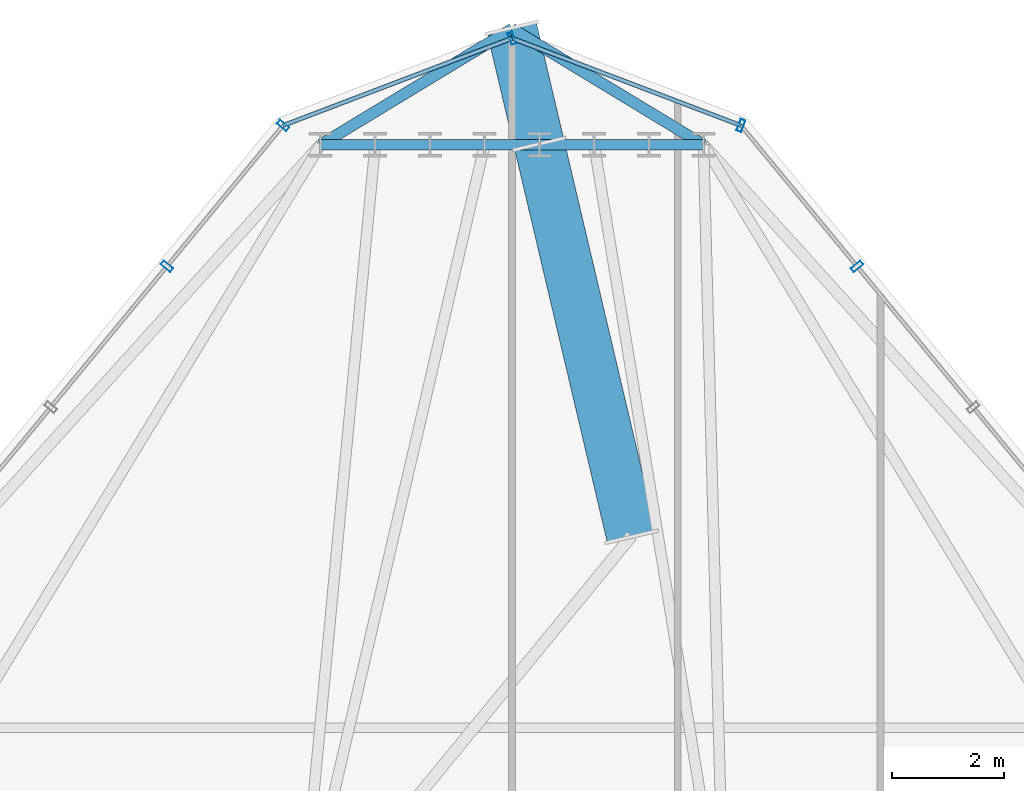
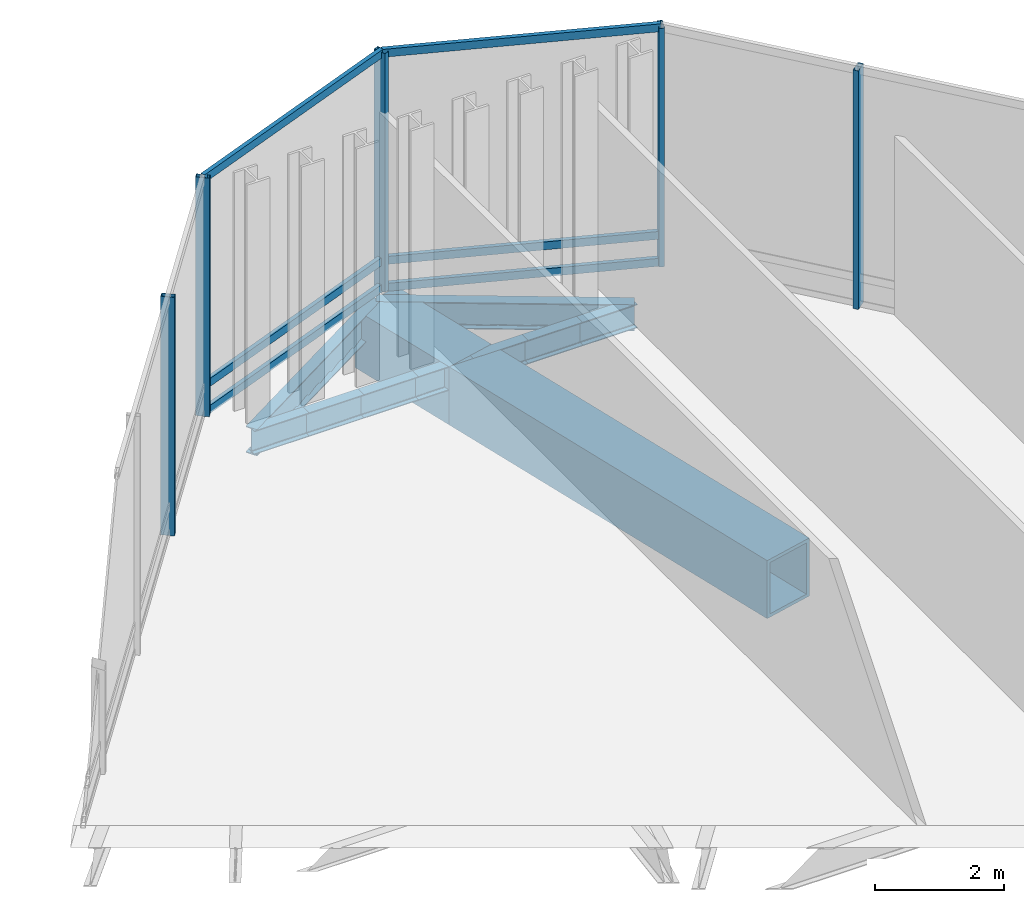
# One storey, part 18 of 29: 11 beams, 11 members, 4 elements without a shape of their own.
"""IFC4 building model written with IfcOpenShell, lengths in metres."""

from ifc_helpers import new_model, si_unit, direction, frame, origin, origin_2d, place, context, subcontext, project, spatial, hollow_rectangle, i_section, extrude, material, layer, layer_set, material_profile, profile_set, type_object, element, aggregate, save


model = new_model("IFC4")

# Units and contexts
model_context = context("Model", 3, precision=1e-05, world=origin(), true_north=direction((0.0, 1.0)))
body_context = subcontext(model_context, "Body", "Model", "MODEL_VIEW")
ifc_project = project(units=[si_unit("LENGTHUNIT", "METRE"), si_unit("AREAUNIT", "SQUARE_METRE"), si_unit("VOLUMEUNIT", "CUBIC_METRE"), si_unit("PLANEANGLEUNIT", "RADIAN"), si_unit("MASSUNIT", "GRAM", prefix="KILO")], contexts=[model_context])

# Site, building, storey
site_placement = place(None, origin())
site = spatial("IfcSite", under=ifc_project, at=site_placement, CompositionType="ELEMENT")
building_placement = place(site_placement, origin())
building = spatial("IfcBuilding", under=site, at=building_placement, Name="Ndaravel Arena Tower", CompositionType="ELEMENT")
storey_placement = place(building_placement, frame((0.0, 0.0, 208.39990234375)))
storey = spatial("IfcBuildingStorey", under=building, at=storey_placement, Name="L50", CompositionType="ELEMENT", Elevation=208.39990234375)

# Beams
ifc_material_1 = material(Name="Steel S355", Category="steel")
ifc_material_profile_1 = material_profile(ifc_material_1, i_section(OverallWidth=0.18994140625, OverallDepth=0.449951171875, WebThickness=0.009521484375, FlangeThickness=0.0146484375, FilletRadius=0.02099609375, at=origin_2d()), Name="IPE 450")
ifc_profile_set_1 = profile_set([ifc_material_profile_1], Name="Steel S355")
beam_type_1 = type_object("IfcBeamType", Name="BM-SPAN-IPE450", PredefinedType="SPANDREL", material=ifc_profile_set_1)
beam_1_placement = place(storey_placement, frame((45.431396484375, 45.44482421875, -0.5048828125), z_axis=(-1.0, 0.0, 0.0), x_axis=(0.0, -1.0, 0.0)))
element("IfcBeam", 1, at=beam_1_placement, inside=storey, type_object=beam_type_1, Name="L50 Perimeter Spandrel Beam SP-11", PredefinedType="SPANDREL", context=body_context, shape_type="SweptSolid", body=[
    extrude(i_section(OverallWidth=0.18994140625, OverallDepth=0.449951171875, WebThickness=0.009521484375, FlangeThickness=0.0146484375, FilletRadius=0.02099609375, at=origin_2d()), origin(), (0.0, 0.0, 1.0), 0.980224609375),
])
for number, where, z_axis, x_axis, name in (
    (2, (44.451171875, 45.44482421875, -0.5048828125), (-1.0, 0.0, 0.0), (0.0, -1.0, 0.0), "L50 Perimeter Spandrel Beam SP-12"),
    (3, (43.470703125, 45.44482421875, -0.5048828125), (-1.0, 0.0, 0.0), (0.0, -1.0, 0.0), "L50 Perimeter Spandrel Beam SP-13"),
    (4, (42.490234375, 45.44482421875, -0.5048828125), (-1.0, 0.0, 0.0), (0.0, -1.0, 0.0), "L50 Perimeter Spandrel Beam SP-14"),
    (5, (41.509765625, 45.44482421875, -0.5048828125), (-1.0, 0.0, 0.0), (0.0, -1.0, 0.0), "L50 Perimeter Spandrel Beam SP-15"),
    (6, (40.529296875, 45.44482421875, -0.5048828125), (-1.0, 0.0, 0.0), (0.0, -1.0, 0.0), "L50 Perimeter Spandrel Beam SP-16"),
):
    element("IfcBeam", number, at=place(storey_placement, frame(where, z_axis=z_axis, x_axis=x_axis)), inside=storey, type_object=beam_type_1, Name=name, PredefinedType="SPANDREL", context=body_context, shape_type="SweptSolid", body=[
        extrude(i_section(OverallWidth=0.18994140625, OverallDepth=0.449951171875, WebThickness=0.009521484375, FlangeThickness=0.0146484375, FilletRadius=0.02099609375, at=origin_2d()), origin(), (0.0, 0.0, 1.0), 0.98046875),
    ])
beam_2_placement = place(storey_placement, frame((39.548828125, 45.44482421875, -0.5048828125), z_axis=(-1.0, 0.0, 0.0), x_axis=(0.0, -1.0, 0.0)))
element("IfcBeam", 7, at=beam_2_placement, inside=storey, type_object=beam_type_1, Name="L50 Perimeter Spandrel Beam SP-17", PredefinedType="SPANDREL", context=body_context, shape_type="SweptSolid", body=[
    extrude(i_section(OverallWidth=0.18994140625, OverallDepth=0.449951171875, WebThickness=0.009521484375, FlangeThickness=0.0146484375, FilletRadius=0.02099609375, at=origin_2d()), origin(), (0.0, 0.0, 1.0), 0.980224609375),
])
ifc_material_2 = material(Name="Steel S355", Category="steel")
ifc_material_profile_2 = material_profile(ifc_material_2, i_section(OverallWidth=0.199951171875, OverallDepth=0.5, WebThickness=0.01025390625, FlangeThickness=0.01611328125, FilletRadius=0.02099609375, at=origin_2d()), Name="IPE 500")
ifc_profile_set_2 = profile_set([ifc_material_profile_2], Name="Steel S355")
beam_type_2 = type_object("IfcBeamType", Name="BM-SPAN-IPE500", PredefinedType="SPANDREL", material=ifc_profile_set_2)
for number, where, z_axis, x_axis, name in (
    (8, (45.431396484375, 45.44482421875, -0.52978515625), (-0.85514879372, 0.518382619886, 0.0), (-0.518382619886, -0.85514879372, 0.0), "L50 Star Facet Edge Beam SEA-5"),
    (9, (42.0, 47.52490234375, -0.52978515625), (-0.85514879372, -0.518382619886, 0.0), (0.518382619886, -0.85514879372, 0.0), "L50 Star Facet Edge Beam SEB-5"),
):
    element("IfcBeam", number, at=place(storey_placement, frame(where, z_axis=z_axis, x_axis=x_axis)), inside=storey, type_object=beam_type_2, Name=name, PredefinedType="SPANDREL", context=body_context, shape_type="SweptSolid", body=[
        extrude(i_section(OverallWidth=0.199951171875, OverallDepth=0.5, WebThickness=0.01025390625, FlangeThickness=0.01611328125, FilletRadius=0.02099609375, at=origin_2d()), origin(), (0.0, 0.0, 1.0), 4.0126953125),
    ])
ifc_material_3 = material(Name="Steel S460", Category="steel")
ifc_material_profile_3 = material_profile(ifc_material_3, hollow_rectangle(XDim=0.89990234375, YDim=1.10009765625, WallThickness=0.06494140625, at=origin_2d()), Name="BOX 1100x900x65")
ifc_profile_set_3 = profile_set([ifc_material_profile_3], Name="Steel S460")
beam_type_3 = type_object("IfcBeamType", Name="BM-STAR-BOX1100", PredefinedType="BEAM", material=ifc_profile_set_3)
beam_3_placement = place(storey_placement, frame((44.141845703125, 38.436767578125, -0.829833984375), z_axis=(-0.229388962505, 0.973334836467, 0.0), x_axis=(-0.973334836467, -0.229388962505, 0.0)))
element("IfcBeam", 10, at=beam_3_placement, inside=storey, type_object=beam_type_3, Name="L50 Star Cantilever Backspan Girder SBG-5", PredefinedType="BEAM", context=body_context, shape_type="SweptSolid", body=[
    extrude(hollow_rectangle(XDim=0.89990234375, YDim=1.10009765625, WallThickness=0.06494140625, at=origin_2d()), origin(), (0.0, 0.0, 1.0), 7.199951171875),
])
beam_4_placement = place(storey_placement, frame((42.490234375, 45.44482421875, -0.829833984375), z_axis=(-0.229395900059, 0.973333201445, 0.0), x_axis=(-0.973333201445, -0.229395900059, 0.0)))
element("IfcBeam", 11, at=beam_4_placement, inside=storey, type_object=beam_type_3, Name="L50 Star Cantilever Tip Girder SCG-5", PredefinedType="BEAM", context=body_context, shape_type="SweptSolid", body=[
    extrude(hollow_rectangle(XDim=0.89990234375, YDim=1.10009765625, WallThickness=0.06494140625, at=origin_2d()), origin(), (0.0, 0.0, 1.0), 2.136962890625),
])

# Curtain wall, member
ifc_material_4 = material(Name="Aluminium", Category="aluminium")
ifc_layer = layer(ifc_material_4, 0.179931640625)
ifc_layer_set = layer_set([ifc_layer], Name="Aluminium")
curtain_wall_type = type_object("IfcCurtainWallType", Name="CW-SYS-04", PredefinedType="NOTDEFINED", material=ifc_layer_set)
curtain_wall_1_placement = place(storey_placement, origin())
curtain_wall_1 = element("IfcCurtainWall", 12, at=curtain_wall_1_placement, inside=storey, type_object=curtain_wall_type, Name="L50 Faceted Crystal Curtain Wall CW-L50-E07", PredefinedType="NOTDEFINED")
ifc_material_5 = material(Name="Aluminium", Category="aluminium")
ifc_material_profile_4 = material_profile(ifc_material_5, hollow_rectangle(XDim=0.090087890625, YDim=0.219970703125, WallThickness=0.0048828125, at=origin_2d()), Name="CW MULLION 90x220x5")
ifc_profile_set_4 = profile_set([ifc_material_profile_4], Name="Aluminium")
member_type_1 = type_object("IfcMemberType", Name="MEM-CW-MUL220", PredefinedType="MULLION", material=ifc_profile_set_4)
member_1_placement = place(storey_placement, frame((48.18310546875, 43.265869140625, 0.0), z_axis=(0.0, 0.0, 1.0), x_axis=(-0.636024349169, 0.771668988144, 0.0)))
member_1 = element("IfcMember", 13, at=member_1_placement, type_object=member_type_1, Name="CW-L50-E07 Mullion 05", PredefinedType="MULLION", context=body_context, shape_type="SweptSolid", body=[
    extrude(hollow_rectangle(XDim=0.090087890625, YDim=0.219970703125, WallThickness=0.0048828125, at=origin_2d()), origin(), (0.0, 0.0, 1.0), 4.52001953125),
])
aggregate(curtain_wall_1, [member_1])

curtain_wall_2_placement = place(storey_placement, origin())
curtain_wall_2 = element("IfcCurtainWall", 14, at=curtain_wall_2_placement, inside=storey, type_object=curtain_wall_type, Name="L50 Faceted Crystal Curtain Wall CW-L50-E08", PredefinedType="NOTDEFINED")
member_2_placement = place(storey_placement, frame((46.102294921875, 45.790283203125, 0.0), z_axis=(0.0, 0.0, 1.0), x_axis=(-0.934453296747, 0.356085714679, 0.0)))
member_2 = element("IfcMember", 15, at=member_2_placement, type_object=member_type_1, Name="CW-L50-E08 Mullion 00", PredefinedType="MULLION", context=body_context, shape_type="SweptSolid", body=[
    extrude(hollow_rectangle(XDim=0.090087890625, YDim=0.219970703125, WallThickness=0.0048828125, at=origin_2d()), origin(), (0.0, 0.0, 1.0), 4.52001953125),
])

curtain_wall_3_placement = place(storey_placement, origin())
curtain_wall_3 = element("IfcCurtainWall", 16, at=curtain_wall_3_placement, inside=storey, type_object=curtain_wall_type, Name="L50 Faceted Crystal Curtain Wall CW-L50-E09", PredefinedType="NOTDEFINED")
member_3_placement = place(storey_placement, frame((42.0, 47.353515625, 0.0), z_axis=(0.0, 0.0, 1.0), x_axis=(-0.934453296747, -0.356085714679, 0.0)))
member_3 = element("IfcMember", 17, at=member_3_placement, type_object=member_type_1, Name="CW-L50-E09 Mullion 00", PredefinedType="MULLION", context=body_context, shape_type="SweptSolid", body=[
    extrude(hollow_rectangle(XDim=0.090087890625, YDim=0.219970703125, WallThickness=0.0048828125, at=origin_2d()), origin(), (0.0, 0.0, 1.0), 4.52001953125),
])

# Curtain wall, members
curtain_wall_4_placement = place(storey_placement, origin())
curtain_wall_4 = element("IfcCurtainWall", 18, at=curtain_wall_4_placement, inside=storey, type_object=curtain_wall_type, Name="L50 Faceted Crystal Curtain Wall CW-L50-E10", PredefinedType="NOTDEFINED")
member_4_placement = place(storey_placement, frame((37.897705078125, 45.790283203125, 0.0), z_axis=(0.0, 0.0, 1.0), x_axis=(-0.636024349169, -0.771668988144, 0.0)))
member_4 = element("IfcMember", 19, at=member_4_placement, type_object=member_type_1, Name="CW-L50-E10 Mullion 00", PredefinedType="MULLION", context=body_context, shape_type="SweptSolid", body=[
    extrude(hollow_rectangle(XDim=0.090087890625, YDim=0.219970703125, WallThickness=0.0048828125, at=origin_2d()), origin(), (0.0, 0.0, 1.0), 4.52001953125),
])
member_5_placement = place(storey_placement, frame((35.81689453125, 43.265869140625, 0.0), z_axis=(0.0, 0.0, 1.0), x_axis=(-0.636024349169, -0.771668988144, 0.0)))
member_5 = element("IfcMember", 20, at=member_5_placement, type_object=member_type_1, Name="CW-L50-E10 Mullion 01", PredefinedType="MULLION", context=body_context, shape_type="SweptSolid", body=[
    extrude(hollow_rectangle(XDim=0.090087890625, YDim=0.219970703125, WallThickness=0.0048828125, at=origin_2d()), origin(), (0.0, 0.0, 1.0), 4.52001953125),
])
aggregate(curtain_wall_4, [member_4, member_5])

# Member
ifc_material_6 = material(Name="Aluminium", Category="aluminium")
ifc_material_profile_5 = material_profile(ifc_material_6, hollow_rectangle(XDim=0.074951171875, YDim=0.14990234375, WallThickness=0.00390625, at=origin_2d()), Name="CW TRANSOM 75x150x4")
ifc_profile_set_5 = profile_set([ifc_material_profile_5], Name="Aluminium")
member_type_2 = type_object("IfcMemberType", Name="MEM-CW-TRN150", PredefinedType="USERDEFINED", material=ifc_profile_set_5)
member_6_placement = place(storey_placement, frame((46.102294921875, 45.790283203125, 0.0400390625), z_axis=(-0.93445337209, 0.356085516961, 0.0), x_axis=(-0.356085516961, -0.93445337209, 0.0)))
member_6 = element("IfcMember", 21, at=member_6_placement, type_object=member_type_2, Name="CW-L50-E08 Transom 01", ObjectType="TRANSOM", PredefinedType="USERDEFINED", context=body_context, shape_type="SweptSolid", body=[
    extrude(hollow_rectangle(XDim=0.074951171875, YDim=0.14990234375, WallThickness=0.00390625, at=origin_2d()), origin(), (0.0, 0.0, 1.0), 4.39013671875),
])

member_7_placement = place(storey_placement, frame((46.102294921875, 45.790283203125, 0.550048828125), z_axis=(-0.93445337209, 0.356085516961, 0.0), x_axis=(-0.356085516961, -0.93445337209, 0.0)))
member_7 = element("IfcMember", 22, at=member_7_placement, type_object=member_type_2, Name="CW-L50-E08 Transom 02", ObjectType="TRANSOM", PredefinedType="USERDEFINED", context=body_context, shape_type="SweptSolid", body=[
    extrude(hollow_rectangle(XDim=0.074951171875, YDim=0.14990234375, WallThickness=0.00390625, at=origin_2d()), origin(), (0.0, 0.0, 1.0), 4.39013671875),
])

member_8_placement = place(storey_placement, frame((46.102294921875, 45.790283203125, 4.47998046875), z_axis=(-0.93445337209, 0.356085516961, 0.0), x_axis=(-0.356085516961, -0.93445337209, 0.0)))
member_8 = element("IfcMember", 23, at=member_8_placement, type_object=member_type_2, Name="CW-L50-E08 Transom 03", ObjectType="TRANSOM", PredefinedType="USERDEFINED", context=body_context, shape_type="SweptSolid", body=[
    extrude(hollow_rectangle(XDim=0.074951171875, YDim=0.14990234375, WallThickness=0.00390625, at=origin_2d()), origin(), (0.0, 0.0, 1.0), 4.39013671875),
])

aggregate(curtain_wall_2, [member_2, member_6, member_7, member_8])

member_9_placement = place(storey_placement, frame((42.0, 47.353515625, 0.0400390625), z_axis=(-0.93445337209, -0.356085516961, 0.0), x_axis=(0.356085516961, -0.93445337209, 0.0)))
member_9 = element("IfcMember", 24, at=member_9_placement, type_object=member_type_2, Name="CW-L50-E09 Transom 01", ObjectType="TRANSOM", PredefinedType="USERDEFINED", context=body_context, shape_type="SweptSolid", body=[
    extrude(hollow_rectangle(XDim=0.074951171875, YDim=0.14990234375, WallThickness=0.00390625, at=origin_2d()), origin(), (0.0, 0.0, 1.0), 4.39013671875),
])

member_10_placement = place(storey_placement, frame((42.0, 47.353515625, 0.550048828125), z_axis=(-0.93445337209, -0.356085516961, 0.0), x_axis=(0.356085516961, -0.93445337209, 0.0)))
member_10 = element("IfcMember", 25, at=member_10_placement, type_object=member_type_2, Name="CW-L50-E09 Transom 02", ObjectType="TRANSOM", PredefinedType="USERDEFINED", context=body_context, shape_type="SweptSolid", body=[
    extrude(hollow_rectangle(XDim=0.074951171875, YDim=0.14990234375, WallThickness=0.00390625, at=origin_2d()), origin(), (0.0, 0.0, 1.0), 4.39013671875),
])

member_11_placement = place(storey_placement, frame((42.0, 47.353515625, 4.47998046875), z_axis=(-0.93445337209, -0.356085516961, 0.0), x_axis=(0.356085516961, -0.93445337209, 0.0)))
member_11 = element("IfcMember", 26, at=member_11_placement, type_object=member_type_2, Name="CW-L50-E09 Transom 03", ObjectType="TRANSOM", PredefinedType="USERDEFINED", context=body_context, shape_type="SweptSolid", body=[
    extrude(hollow_rectangle(XDim=0.074951171875, YDim=0.14990234375, WallThickness=0.00390625, at=origin_2d()), origin(), (0.0, 0.0, 1.0), 4.39013671875),
])

aggregate(curtain_wall_3, [member_3, member_9, member_10, member_11])

save(model, "model.ifc")
